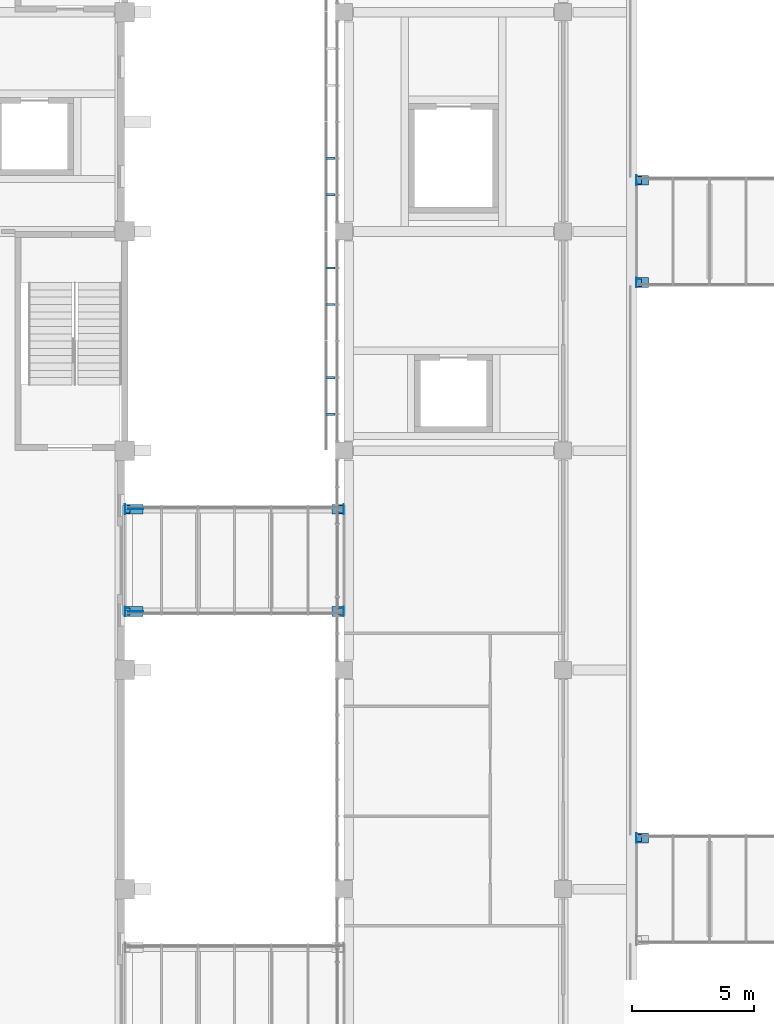
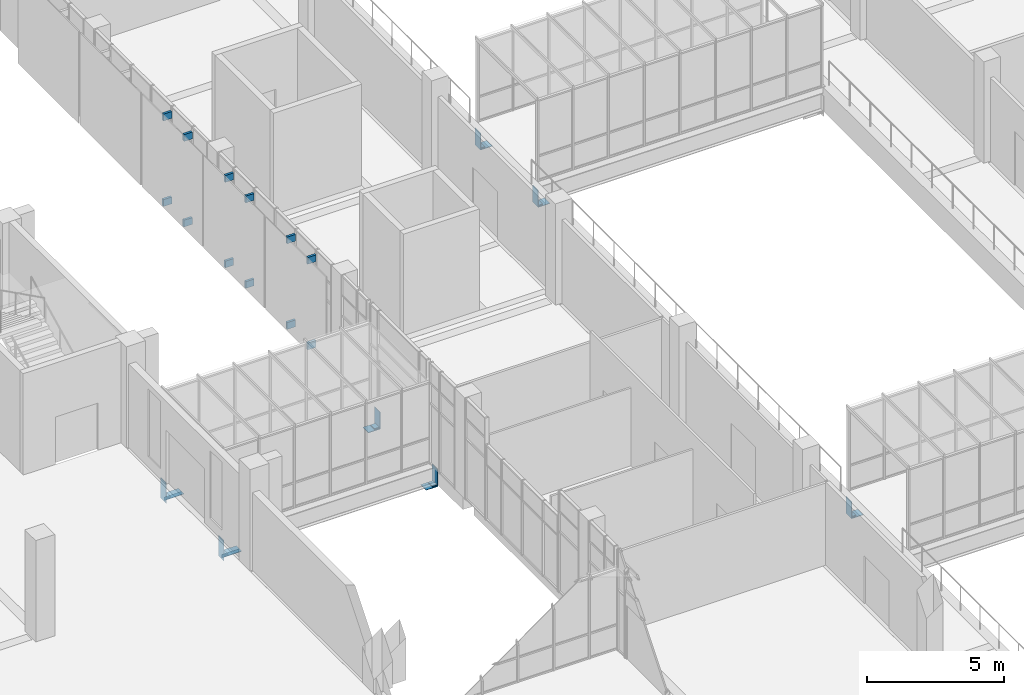
# One storey, part 87 of 106: 35 discrete accessories.
"""IFC4 building model written with IfcOpenShell, lengths in metres."""

from ifc_helpers import new_model, si_unit, direction, frame, origin, origin_2d, place, context, subcontext, project, spatial, rectangle, extrude, material, layer, layer_set, type_object, element, save


model = new_model("IFC4")

# Units and contexts
model_context = context("Model", 3, precision=1e-05, world=origin(), true_north=direction((0.0, 1.0)))
body_context = subcontext(model_context, "Body", "Model", "MODEL_VIEW")
ifc_project = project(units=[si_unit("LENGTHUNIT", "METRE"), si_unit("AREAUNIT", "SQUARE_METRE"), si_unit("VOLUMEUNIT", "CUBIC_METRE"), si_unit("PLANEANGLEUNIT", "RADIAN"), si_unit("MASSUNIT", "GRAM", prefix="KILO")], contexts=[model_context])

# Site, building, storey
site_placement = place(None, origin())
site = spatial("IfcSite", under=ifc_project, at=site_placement, CompositionType="ELEMENT")
building_placement = place(site_placement, origin())
building = spatial("IfcBuilding", under=site, at=building_placement, Name="Guidao Yard Department Store", CompositionType="ELEMENT")
storey_placement = place(building_placement, frame((0.0, 0.0, 10.5)))
storey = spatial("IfcBuildingStorey", under=building, at=storey_placement, Name="L02", CompositionType="ELEMENT", Elevation=10.5)

# Discrete accessories
ifc_material_1 = material(Name="Steel Q355B", Category="steel")
discrete_accessory_type_1 = type_object("IfcDiscreteAccessoryType", Name="Bracket BR2 steel plate", PredefinedType="BRACKET", material=ifc_material_1)
for number, where, z_axis, x_axis, name in (
    (1, (71.465087890625, 82.5, 0.2001953125), (0.0, 0.0, 1.0), (0.0, 1.0, 0.0), "Screen bracket"),
    (2, (71.465087890625, 82.5, 4.0), (0.0, 0.0, 1.0), (0.0, 1.0, 0.0), "Screen bracket"),
    (3, (71.465087890625, 84.0, 0.2001953125), (0.0, 0.0, 1.0), (0.0, 1.0, 0.0), "Screen bracket"),
    (4, (71.465087890625, 84.0, 4.0), (0.0, 0.0, 1.0), (0.0, 1.0, 0.0), "Screen bracket"),
    (5, (71.465087890625, 87.0, 0.2001953125), (0.0, 0.0, 1.0), (0.0, 1.0, 0.0), "Screen bracket"),
    (6, (71.465087890625, 87.0, 4.0), (0.0, 0.0, 1.0), (0.0, 1.0, 0.0), "Screen bracket"),
    (7, (71.465087890625, 88.5, 0.2001953125), (0.0, 0.0, 1.0), (0.0, 1.0, 0.0), "Screen bracket"),
    (8, (71.465087890625, 88.5, 4.0), (0.0, 0.0, 1.0), (0.0, 1.0, 0.0), "Screen bracket"),
    (9, (71.465087890625, 91.5, 0.2001953125), (0.0, 0.0, 1.0), (0.0, 1.0, 0.0), "Screen bracket"),
    (10, (71.465087890625, 91.5, 4.0), (0.0, 0.0, 1.0), (0.0, 1.0, 0.0), "Screen bracket"),
    (11, (71.465087890625, 93.0, 0.2001953125), (0.0, 0.0, 1.0), (0.0, 1.0, 0.0), "Screen bracket"),
    (12, (71.465087890625, 93.0, 4.0), (0.0, 0.0, 1.0), (0.0, 1.0, 0.0), "Screen bracket"),
):
    element("IfcDiscreteAccessory", number, at=place(storey_placement, frame(where, z_axis=z_axis, x_axis=x_axis)), inside=storey, type_object=discrete_accessory_type_1, Name=name, PredefinedType="BRACKET", context=body_context, shape_type="SweptSolid", body=[
        extrude(rectangle(XDim=0.10009765625, YDim=0.35009765625, at=origin_2d()), origin(), (0.0, 0.0, 1.0), 0.300048828125),
    ])
ifc_material_2 = material(Name="Steel Q355B", Category="steel")
ifc_layer_1 = layer(ifc_material_2, 0.014892578125)
ifc_layer_set_1 = layer_set([ifc_layer_1], Name="Bridge girder back plate SB1 steel")
discrete_accessory_type_2 = type_object("IfcDiscreteAccessoryType", Name="Bridge girder back plate SB1 steel", PredefinedType="BRACKET", material=ifc_layer_set_1)
discrete_accessory_1_placement = place(storey_placement, frame((63.007568359375, 74.39990234375, -1.259765625), z_axis=(0.0, 0.0, 1.0), x_axis=(1.0, 0.0, 0.0)))
element("IfcDiscreteAccessory", 13, at=discrete_accessory_1_placement, inside=storey, type_object=discrete_accessory_type_2, Name="Bridge girder back plate BR04S S", PredefinedType="BRACKET", context=body_context, shape_type="SweptSolid", body=[
    extrude(rectangle(XDim=0.014892578125, YDim=0.39990234375, at=origin_2d()), origin(), (0.0, 0.0, 1.0), 0.909912109375),
])
discrete_accessory_2_placement = place(storey_placement, frame((71.992431640625, 74.39990234375, -1.10986328125), z_axis=(0.0, 0.0, 1.0), x_axis=(1.0, 0.0, 0.0)))
element("IfcDiscreteAccessory", 14, at=discrete_accessory_2_placement, inside=storey, type_object=discrete_accessory_type_2, Name="Bridge girder back plate BR04S F", PredefinedType="BRACKET", context=body_context, shape_type="SweptSolid", body=[
    extrude(rectangle(XDim=0.014892578125, YDim=0.39990234375, at=origin_2d()), origin(), (0.0, 0.0, 1.0), 0.760009765625),
])
discrete_accessory_3_placement = place(storey_placement, frame((63.007568359375, 78.60009765625, -1.259765625), z_axis=(0.0, 0.0, 1.0), x_axis=(1.0, 0.0, 0.0)))
element("IfcDiscreteAccessory", 15, at=discrete_accessory_3_placement, inside=storey, type_object=discrete_accessory_type_2, Name="Bridge girder back plate BR04N S", PredefinedType="BRACKET", context=body_context, shape_type="SweptSolid", body=[
    extrude(rectangle(XDim=0.014892578125, YDim=0.39990234375, at=origin_2d()), origin(), (0.0, 0.0, 1.0), 0.909912109375),
])
for number, where, z_axis, x_axis, name in (
    (16, (71.992431640625, 78.60009765625, -1.10986328125), (0.0, 0.0, 1.0), (1.0, 0.0, 0.0), "Bridge girder back plate BR04N F"),
    (17, (84.007568359375, 65.10009765625, -1.10986328125), (0.0, 0.0, 1.0), (1.0, 0.0, 0.0), "Bridge girder back plate BR11N F"),
    (18, (84.007568359375, 87.89990234375, -1.10986328125), (0.0, 0.0, 1.0), (1.0, 0.0, 0.0), "Bridge girder back plate BR12S F"),
    (19, (84.007568359375, 92.10009765625, -1.10986328125), (0.0, 0.0, 1.0), (1.0, 0.0, 0.0), "Bridge girder back plate BR12N F"),
):
    element("IfcDiscreteAccessory", number, at=place(storey_placement, frame(where, z_axis=z_axis, x_axis=x_axis)), inside=storey, type_object=discrete_accessory_type_2, Name=name, PredefinedType="BRACKET", context=body_context, shape_type="SweptSolid", body=[
        extrude(rectangle(XDim=0.014892578125, YDim=0.39990234375, at=origin_2d()), origin(), (0.0, 0.0, 1.0), 0.760009765625),
    ])
ifc_material_3 = material(Name="Steel Q355B", Category="steel")
ifc_layer_2 = layer(ifc_material_3, 0.0400390625)
ifc_layer_set_2 = layer_set([ifc_layer_2], Name="Bridge girder pinned bearing BP1 steel")
discrete_accessory_type_3 = type_object("IfcDiscreteAccessoryType", Name="Bridge girder pinned bearing BP1 steel", PredefinedType="SHOE", material=ifc_layer_set_2)
for number, where, z_axis, x_axis, name in (
    (20, (71.885009765625, 74.39990234375, -1.090087890625), (0.0, 0.0, 1.0), (1.0, 0.0, 0.0), "Bridge girder pinned bearing BR04S"),
    (21, (71.885009765625, 78.60009765625, -1.090087890625), (0.0, 0.0, 1.0), (1.0, 0.0, 0.0), "Bridge girder pinned bearing BR04N"),
    (22, (84.114990234375, 65.10009765625, -1.090087890625), (0.0, 0.0, 1.0), (1.0, 0.0, 0.0), "Bridge girder pinned bearing BR11N"),
    (23, (84.114990234375, 87.89990234375, -1.090087890625), (0.0, 0.0, 1.0), (1.0, 0.0, 0.0), "Bridge girder pinned bearing BR12S"),
    (24, (84.114990234375, 92.10009765625, -1.090087890625), (0.0, 0.0, 1.0), (1.0, 0.0, 0.0), "Bridge girder pinned bearing BR12N"),
):
    element("IfcDiscreteAccessory", number, at=place(storey_placement, frame(where, z_axis=z_axis, x_axis=x_axis)), inside=storey, type_object=discrete_accessory_type_3, Name=name, PredefinedType="SHOE", context=body_context, shape_type="SweptSolid", body=[
        extrude(rectangle(XDim=0.199951171875, YDim=0.300048828125, at=origin_2d()), origin(), (0.0, 0.0, 1.0), 0.0400390625),
    ])
ifc_material_4 = material(Name="Steel Q355B", Category="steel")
ifc_layer_3 = layer(ifc_material_4, 0.02001953125)
ifc_layer_set_3 = layer_set([ifc_layer_3], Name="Bridge girder seat plate SP1 steel 500")
discrete_accessory_type_4 = type_object("IfcDiscreteAccessoryType", Name="Bridge girder seat plate SP1 steel 500", PredefinedType="BRACKET", material=ifc_layer_set_3)
for number, where, z_axis, x_axis, name in (
    (25, (71.742431640625, 74.39990234375, -1.110107421875), (0.0, 0.0, 1.0), (1.0, 0.0, 0.0), "Bridge girder seat plate BR04S F"),
    (26, (71.742431640625, 78.60009765625, -1.110107421875), (0.0, 0.0, 1.0), (1.0, 0.0, 0.0), "Bridge girder seat plate BR04N F"),
    (27, (84.257568359375, 65.10009765625, -1.110107421875), (0.0, 0.0, 1.0), (1.0, 0.0, 0.0), "Bridge girder seat plate BR11N F"),
    (28, (84.257568359375, 87.89990234375, -1.110107421875), (0.0, 0.0, 1.0), (1.0, 0.0, 0.0), "Bridge girder seat plate BR12S F"),
    (29, (84.257568359375, 92.10009765625, -1.110107421875), (0.0, 0.0, 1.0), (1.0, 0.0, 0.0), "Bridge girder seat plate BR12N F"),
):
    element("IfcDiscreteAccessory", number, at=place(storey_placement, frame(where, z_axis=z_axis, x_axis=x_axis)), inside=storey, type_object=discrete_accessory_type_4, Name=name, PredefinedType="BRACKET", context=body_context, shape_type="SweptSolid", body=[
        extrude(rectangle(XDim=0.485107421875, YDim=0.39990234375, at=origin_2d()), origin(), (0.0, 0.0, 1.0), 0.02001953125),
    ])
ifc_material_5 = material(Name="Steel Q355B", Category="steel")
ifc_layer_4 = layer(ifc_material_5, 0.02001953125)
ifc_layer_set_4 = layer_set([ifc_layer_4], Name="Bridge girder seat plate SP1 steel 750")
discrete_accessory_type_5 = type_object("IfcDiscreteAccessoryType", Name="Bridge girder seat plate SP1 steel 750", PredefinedType="BRACKET", material=ifc_layer_set_4)
for number, where, z_axis, x_axis, name in (
    (30, (63.382568359375, 74.39990234375, -1.110107421875), (0.0, 0.0, 1.0), (1.0, 0.0, 0.0), "Bridge girder seat plate BR04S S"),
    (31, (63.382568359375, 78.60009765625, -1.110107421875), (0.0, 0.0, 1.0), (1.0, 0.0, 0.0), "Bridge girder seat plate BR04N S"),
):
    element("IfcDiscreteAccessory", number, at=place(storey_placement, frame(where, z_axis=z_axis, x_axis=x_axis)), inside=storey, type_object=discrete_accessory_type_5, Name=name, PredefinedType="BRACKET", context=body_context, shape_type="SweptSolid", body=[
        extrude(rectangle(XDim=0.735107421875, YDim=0.39990234375, at=origin_2d()), origin(), (0.0, 0.0, 1.0), 0.02001953125),
    ])
ifc_material_6 = material(Name="Steel Q355B", Category="steel")
ifc_layer_5 = layer(ifc_material_6, 0.01611328125)
ifc_layer_set_5 = layer_set([ifc_layer_5], Name="Bridge girder seat rib SR1 steel 16")
discrete_accessory_type_6 = type_object("IfcDiscreteAccessoryType", Name="Bridge girder seat rib SR1 steel 16", PredefinedType="BRACKET", material=ifc_layer_set_5)
for number, where, z_axis, x_axis, name in (
    (32, (63.389892578125, 74.39990234375, -1.260009765625), (0.0, 0.0, 1.0), (1.0, 0.0, 0.0), "Bridge girder seat rib BR04S S"),
    (33, (63.389892578125, 78.60009765625, -1.260009765625), (0.0, 0.0, 1.0), (1.0, 0.0, 0.0), "Bridge girder seat rib BR04N S"),
):
    element("IfcDiscreteAccessory", number, at=place(storey_placement, frame(where, z_axis=z_axis, x_axis=x_axis)), inside=storey, type_object=discrete_accessory_type_6, Name=name, PredefinedType="BRACKET", context=body_context, shape_type="SweptSolid", body=[
        extrude(rectangle(XDim=0.719970703125, YDim=0.01611328125, at=origin_2d()), origin(), (0.0, 0.0, 1.0), 0.14990234375),
    ])
ifc_material_7 = material(Name="Steel Q355B", Category="steel")
ifc_layer_6 = layer(ifc_material_7, 0.0400390625)
ifc_layer_set_6 = layer_set([ifc_layer_6], Name="Bridge girder sliding bearing BS1 PTFE on steel")
discrete_accessory_type_7 = type_object("IfcDiscreteAccessoryType", Name="Bridge girder sliding bearing BS1 PTFE on steel", PredefinedType="SHOE", material=ifc_layer_set_6)
for number, where, z_axis, x_axis, name in (
    (34, (63.114990234375, 74.39990234375, -1.090087890625), (0.0, 0.0, 1.0), (1.0, 0.0, 0.0), "Bridge girder sliding bearing BR04S"),
    (35, (63.114990234375, 78.60009765625, -1.090087890625), (0.0, 0.0, 1.0), (1.0, 0.0, 0.0), "Bridge girder sliding bearing BR04N"),
):
    element("IfcDiscreteAccessory", number, at=place(storey_placement, frame(where, z_axis=z_axis, x_axis=x_axis)), inside=storey, type_object=discrete_accessory_type_7, Name=name, PredefinedType="SHOE", context=body_context, shape_type="SweptSolid", body=[
        extrude(rectangle(XDim=0.199951171875, YDim=0.300048828125, at=origin_2d()), origin(), (0.0, 0.0, 1.0), 0.0400390625),
    ])

save(model, "model.ifc")
